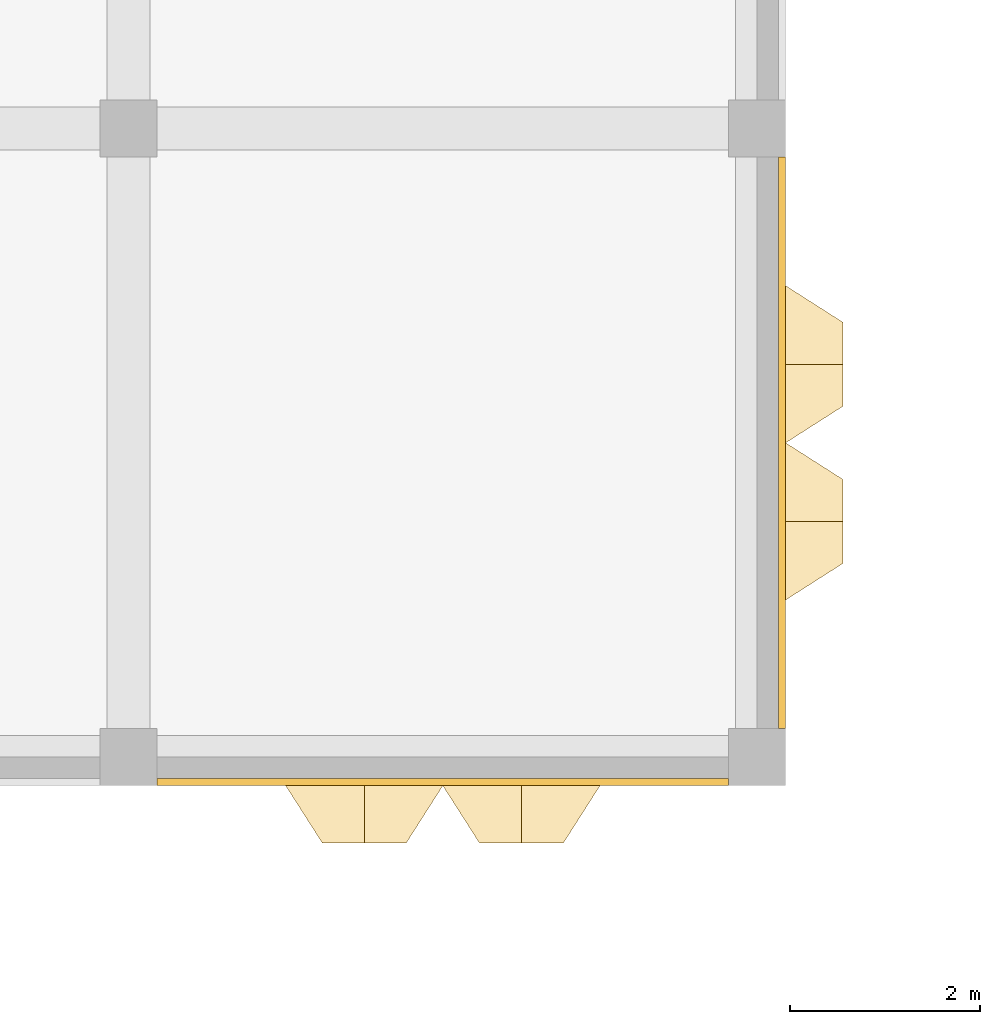
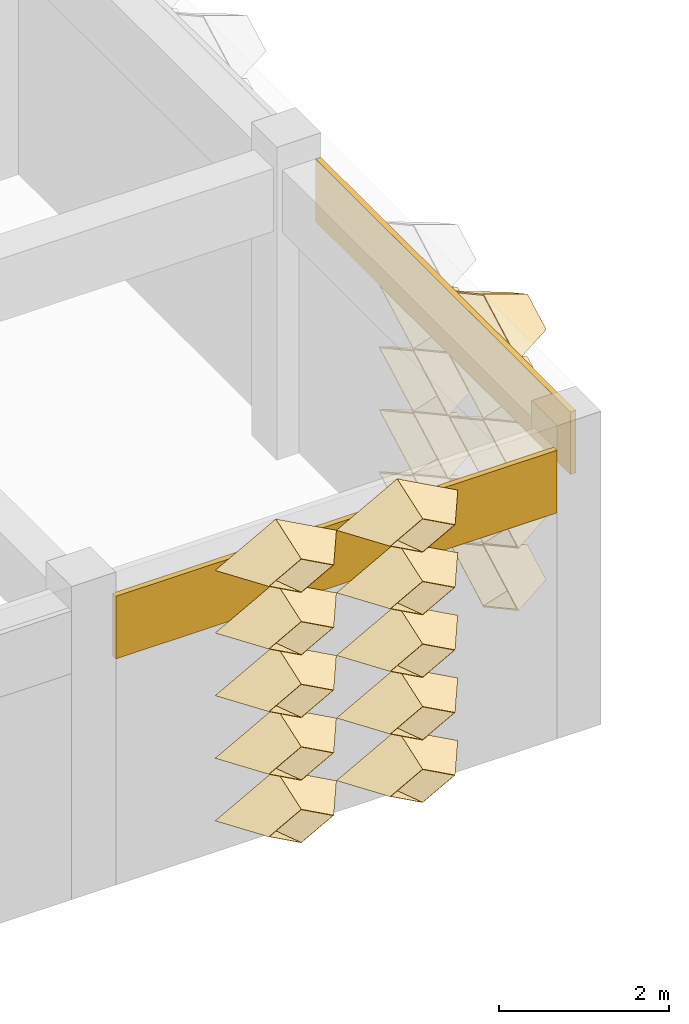
# One storey, part 55 of 87: 21 coverings.
"""IFC4 building model written with IfcOpenShell, lengths in metres."""

from ifc_helpers import new_model, entity, si_unit, direction, frame, frame_2d, origin, place, context, subcontext, project, spatial, rectangle, extrude, material, layer, layer_set, type_object, element, save


model = new_model("IFC4")

# Units and contexts
model_context = context("Model", 3, precision=1e-05, world=origin(), true_north=direction((0.0, 1.0)))
body_context = subcontext(model_context, "Body", "Model", "MODEL_VIEW")
ifc_project = project(units=[si_unit("LENGTHUNIT", "METRE"), si_unit("AREAUNIT", "SQUARE_METRE"), si_unit("VOLUMEUNIT", "CUBIC_METRE"), si_unit("PLANEANGLEUNIT", "RADIAN"), si_unit("MASSUNIT", "GRAM", prefix="KILO")], contexts=[model_context])

# Site, building, storey
site_placement = place(None, origin())
site = spatial("IfcSite", under=ifc_project, at=site_placement, CompositionType="ELEMENT")
building_placement = place(site_placement, origin())
building = spatial("IfcBuilding", under=site, at=building_placement, Name="Lantern Court Research Institute", CompositionType="ELEMENT")
storey_placement = place(building_placement, frame((0.0, 0.0, 5.39990234375)))
storey = spatial("IfcBuildingStorey", under=building, at=storey_placement, Name="L01", CompositionType="ELEMENT", Elevation=5.39990234375)

# Coverings
ifc_material_1 = material(Name="Aluminium composite panel with mineral wool insulation", Category="aluminium")
ifc_layer_1 = layer(ifc_material_1, 0.074951171875)
ifc_layer_set_1 = layer_set([ifc_layer_1], Name="Aluminium composite panel with mineral wool insulation")
covering_type_1 = type_object("IfcCoveringType", Name="Edge fascia panel 75 aluminium faced", PredefinedType="CLADDING", material=ifc_layer_set_1)
for number, where, z_axis, x_axis, name in (
    (1, (26.66259765625, 55.800048828125, 3.25), (0.0, 0.0, 1.0), (0.0, -1.0, 0.0), "Edge fascia V3E L01 01"),
    (2, (26.10009765625, 49.237548828125, 3.25), (0.0, 0.0, 1.0), (-1.0, 0.0, 0.0), "Edge fascia V3S L01 03"),
):
    element("IfcCovering", number, at=place(storey_placement, frame(where, z_axis=z_axis, x_axis=x_axis)), inside=storey, type_object=covering_type_1, Name=name, PredefinedType="CLADDING", context=body_context, shape_type="SweptSolid", body=[
        extrude(rectangle(XDim=6.0, YDim=0.074951171875, at=frame_2d((3.0, 0.0))), origin(), (0.0, 0.0, 1.0), 0.900146484375),
    ])
ifc_material_2 = material(Name="Anodised aluminium", Category="aluminium")
ifc_layer_2 = layer(ifc_material_2, 0.01611328125)
ifc_layer_set_2 = layer_set([ifc_layer_2], Name="Anodised aluminium")
covering_type_2 = type_object("IfcCoveringType", Name="Fin cassette 1650 x 900 x 600 aluminium", PredefinedType="CLADDING", material=ifc_layer_set_2)
covering_1_placement = place(storey_placement, frame((26.699951171875, 51.97509765625, 0.4501953125), z_axis=(1.0, 0.0, 0.0), x_axis=(0.0, 1.0, 0.0)))
cartesian_point_1 = entity("IfcCartesianPoint", [0.824951171875, 0.0])
cartesian_point_2 = entity("IfcCartesianPoint", [0.79150390625, 0.0])
cartesian_point_3 = entity("IfcCartesianPoint", [0.44189453125, 0.0])
cartesian_point_4 = entity("IfcCartesianPoint", [0.43359375, 0.0])
element("IfcCovering", 3, at=covering_1_placement, inside=storey, type_object=covering_type_2, Name="Fin cassette V3E-L01 1.32", PredefinedType="CLADDING", context=body_context, shape_type="SweptSolid", body=[
    entity("IfcExtrudedAreaSolidTapered", entity("IfcArbitraryProfileDefWithVoids", "AREA", None, entity("IfcPolyline", [cartesian_point_1, entity("IfcCartesianPoint", [0.0, 0.449951171875]), entity("IfcCartesianPoint", [-0.824951171875, 0.0]), entity("IfcCartesianPoint", [0.0, -0.449951171875]), cartesian_point_1]), [entity("IfcPolyline", [cartesian_point_2, entity("IfcCartesianPoint", [0.0, 0.431884765625]), entity("IfcCartesianPoint", [-0.79150390625, 0.0]), entity("IfcCartesianPoint", [0.0, -0.431884765625]), cartesian_point_2])]), entity("IfcAxis2Placement3D", entity("IfcCartesianPoint", [0.0, 0.0, 0.0])), entity("IfcDirection", [0.0, 0.0, 1.0]), 0.60009765625, entity("IfcArbitraryProfileDefWithVoids", "AREA", None, entity("IfcPolyline", [cartesian_point_3, entity("IfcCartesianPoint", [0.0, 0.240966796875]), entity("IfcCartesianPoint", [-0.44189453125, 0.0]), entity("IfcCartesianPoint", [0.0, -0.240966796875]), cartesian_point_3]), [entity("IfcPolyline", [cartesian_point_4, entity("IfcCartesianPoint", [0.0, 0.236572265625]), entity("IfcCartesianPoint", [-0.43359375, 0.0]), entity("IfcCartesianPoint", [0.0, -0.236572265625]), cartesian_point_4])])),
])
covering_2_placement = place(storey_placement, frame((26.699951171875, 53.625, 0.4501953125), z_axis=(1.0, 0.0, 0.0), x_axis=(0.0, 1.0, 0.0)))
cartesian_point_5 = entity("IfcCartesianPoint", [0.824951171875, 0.0])
cartesian_point_6 = entity("IfcCartesianPoint", [0.79150390625, 0.0])
cartesian_point_7 = entity("IfcCartesianPoint", [0.44189453125, 0.0])
cartesian_point_8 = entity("IfcCartesianPoint", [0.43359375, 0.0])
element("IfcCovering", 4, at=covering_2_placement, inside=storey, type_object=covering_type_2, Name="Fin cassette V3E-L01 1.33", PredefinedType="CLADDING", context=body_context, shape_type="SweptSolid", body=[
    entity("IfcExtrudedAreaSolidTapered", entity("IfcArbitraryProfileDefWithVoids", "AREA", None, entity("IfcPolyline", [cartesian_point_5, entity("IfcCartesianPoint", [0.0, 0.449951171875]), entity("IfcCartesianPoint", [-0.824951171875, 0.0]), entity("IfcCartesianPoint", [0.0, -0.449951171875]), cartesian_point_5]), [entity("IfcPolyline", [cartesian_point_6, entity("IfcCartesianPoint", [0.0, 0.431884765625]), entity("IfcCartesianPoint", [-0.79150390625, 0.0]), entity("IfcCartesianPoint", [0.0, -0.431884765625]), cartesian_point_6])]), entity("IfcAxis2Placement3D", entity("IfcCartesianPoint", [0.0, 0.0, 0.0])), entity("IfcDirection", [0.0, 0.0, 1.0]), 0.60009765625, entity("IfcArbitraryProfileDefWithVoids", "AREA", None, entity("IfcPolyline", [cartesian_point_7, entity("IfcCartesianPoint", [0.0, 0.240966796875]), entity("IfcCartesianPoint", [-0.44189453125, 0.0]), entity("IfcCartesianPoint", [0.0, -0.240966796875]), cartesian_point_7]), [entity("IfcPolyline", [cartesian_point_8, entity("IfcCartesianPoint", [0.0, 0.236572265625]), entity("IfcCartesianPoint", [-0.43359375, 0.0]), entity("IfcCartesianPoint", [0.0, -0.236572265625]), cartesian_point_8])])),
])
covering_3_placement = place(storey_placement, frame((26.699951171875, 51.97509765625, 1.35009765625), z_axis=(1.0, 0.0, 0.0), x_axis=(0.0, 1.0, 0.0)))
cartesian_point_9 = entity("IfcCartesianPoint", [0.824951171875, 0.0])
cartesian_point_10 = entity("IfcCartesianPoint", [0.79150390625, 0.0])
cartesian_point_11 = entity("IfcCartesianPoint", [0.44189453125, 0.0])
cartesian_point_12 = entity("IfcCartesianPoint", [0.43359375, 0.0])
element("IfcCovering", 5, at=covering_3_placement, inside=storey, type_object=covering_type_2, Name="Fin cassette V3E-L01 2.32", PredefinedType="CLADDING", context=body_context, shape_type="SweptSolid", body=[
    entity("IfcExtrudedAreaSolidTapered", entity("IfcArbitraryProfileDefWithVoids", "AREA", None, entity("IfcPolyline", [cartesian_point_9, entity("IfcCartesianPoint", [0.0, 0.449951171875]), entity("IfcCartesianPoint", [-0.824951171875, 0.0]), entity("IfcCartesianPoint", [0.0, -0.449951171875]), cartesian_point_9]), [entity("IfcPolyline", [cartesian_point_10, entity("IfcCartesianPoint", [0.0, 0.431884765625]), entity("IfcCartesianPoint", [-0.79150390625, 0.0]), entity("IfcCartesianPoint", [0.0, -0.431884765625]), cartesian_point_10])]), entity("IfcAxis2Placement3D", entity("IfcCartesianPoint", [0.0, 0.0, 0.0])), entity("IfcDirection", [0.0, 0.0, 1.0]), 0.60009765625, entity("IfcArbitraryProfileDefWithVoids", "AREA", None, entity("IfcPolyline", [cartesian_point_11, entity("IfcCartesianPoint", [0.0, 0.240966796875]), entity("IfcCartesianPoint", [-0.44189453125, 0.0]), entity("IfcCartesianPoint", [0.0, -0.240966796875]), cartesian_point_11]), [entity("IfcPolyline", [cartesian_point_12, entity("IfcCartesianPoint", [0.0, 0.236572265625]), entity("IfcCartesianPoint", [-0.43359375, 0.0]), entity("IfcCartesianPoint", [0.0, -0.236572265625]), cartesian_point_12])])),
])
covering_4_placement = place(storey_placement, frame((26.699951171875, 53.625, 1.35009765625), z_axis=(1.0, 0.0, 0.0), x_axis=(0.0, 1.0, 0.0)))
cartesian_point_13 = entity("IfcCartesianPoint", [0.824951171875, 0.0])
cartesian_point_14 = entity("IfcCartesianPoint", [0.79150390625, 0.0])
cartesian_point_15 = entity("IfcCartesianPoint", [0.44189453125, 0.0])
cartesian_point_16 = entity("IfcCartesianPoint", [0.43359375, 0.0])
element("IfcCovering", 6, at=covering_4_placement, inside=storey, type_object=covering_type_2, Name="Fin cassette V3E-L01 2.33", PredefinedType="CLADDING", context=body_context, shape_type="SweptSolid", body=[
    entity("IfcExtrudedAreaSolidTapered", entity("IfcArbitraryProfileDefWithVoids", "AREA", None, entity("IfcPolyline", [cartesian_point_13, entity("IfcCartesianPoint", [0.0, 0.449951171875]), entity("IfcCartesianPoint", [-0.824951171875, 0.0]), entity("IfcCartesianPoint", [0.0, -0.449951171875]), cartesian_point_13]), [entity("IfcPolyline", [cartesian_point_14, entity("IfcCartesianPoint", [0.0, 0.431884765625]), entity("IfcCartesianPoint", [-0.79150390625, 0.0]), entity("IfcCartesianPoint", [0.0, -0.431884765625]), cartesian_point_14])]), entity("IfcAxis2Placement3D", entity("IfcCartesianPoint", [0.0, 0.0, 0.0])), entity("IfcDirection", [0.0, 0.0, 1.0]), 0.60009765625, entity("IfcArbitraryProfileDefWithVoids", "AREA", None, entity("IfcPolyline", [cartesian_point_15, entity("IfcCartesianPoint", [0.0, 0.240966796875]), entity("IfcCartesianPoint", [-0.44189453125, 0.0]), entity("IfcCartesianPoint", [0.0, -0.240966796875]), cartesian_point_15]), [entity("IfcPolyline", [cartesian_point_16, entity("IfcCartesianPoint", [0.0, 0.236572265625]), entity("IfcCartesianPoint", [-0.43359375, 0.0]), entity("IfcCartesianPoint", [0.0, -0.236572265625]), cartesian_point_16])])),
])
covering_5_placement = place(storey_placement, frame((26.699951171875, 51.97509765625, 2.25), z_axis=(1.0, 0.0, 0.0), x_axis=(0.0, 1.0, 0.0)))
cartesian_point_17 = entity("IfcCartesianPoint", [0.824951171875, 0.0])
cartesian_point_18 = entity("IfcCartesianPoint", [0.79150390625, 0.0])
cartesian_point_19 = entity("IfcCartesianPoint", [0.44189453125, 0.0])
cartesian_point_20 = entity("IfcCartesianPoint", [0.43359375, 0.0])
element("IfcCovering", 7, at=covering_5_placement, inside=storey, type_object=covering_type_2, Name="Fin cassette V3E-L01 3.32", PredefinedType="CLADDING", context=body_context, shape_type="SweptSolid", body=[
    entity("IfcExtrudedAreaSolidTapered", entity("IfcArbitraryProfileDefWithVoids", "AREA", None, entity("IfcPolyline", [cartesian_point_17, entity("IfcCartesianPoint", [0.0, 0.449951171875]), entity("IfcCartesianPoint", [-0.824951171875, 0.0]), entity("IfcCartesianPoint", [0.0, -0.449951171875]), cartesian_point_17]), [entity("IfcPolyline", [cartesian_point_18, entity("IfcCartesianPoint", [0.0, 0.431884765625]), entity("IfcCartesianPoint", [-0.79150390625, 0.0]), entity("IfcCartesianPoint", [0.0, -0.431884765625]), cartesian_point_18])]), entity("IfcAxis2Placement3D", entity("IfcCartesianPoint", [0.0, 0.0, 0.0])), entity("IfcDirection", [0.0, 0.0, 1.0]), 0.60009765625, entity("IfcArbitraryProfileDefWithVoids", "AREA", None, entity("IfcPolyline", [cartesian_point_19, entity("IfcCartesianPoint", [0.0, 0.240966796875]), entity("IfcCartesianPoint", [-0.44189453125, 0.0]), entity("IfcCartesianPoint", [0.0, -0.240966796875]), cartesian_point_19]), [entity("IfcPolyline", [cartesian_point_20, entity("IfcCartesianPoint", [0.0, 0.236572265625]), entity("IfcCartesianPoint", [-0.43359375, 0.0]), entity("IfcCartesianPoint", [0.0, -0.236572265625]), cartesian_point_20])])),
])
covering_6_placement = place(storey_placement, frame((26.699951171875, 53.625, 2.25), z_axis=(1.0, 0.0, 0.0), x_axis=(0.0, 1.0, 0.0)))
cartesian_point_21 = entity("IfcCartesianPoint", [0.824951171875, 0.0])
cartesian_point_22 = entity("IfcCartesianPoint", [0.79150390625, 0.0])
cartesian_point_23 = entity("IfcCartesianPoint", [0.44189453125, 0.0])
cartesian_point_24 = entity("IfcCartesianPoint", [0.43359375, 0.0])
element("IfcCovering", 8, at=covering_6_placement, inside=storey, type_object=covering_type_2, Name="Fin cassette V3E-L01 3.33", PredefinedType="CLADDING", context=body_context, shape_type="SweptSolid", body=[
    entity("IfcExtrudedAreaSolidTapered", entity("IfcArbitraryProfileDefWithVoids", "AREA", None, entity("IfcPolyline", [cartesian_point_21, entity("IfcCartesianPoint", [0.0, 0.449951171875]), entity("IfcCartesianPoint", [-0.824951171875, 0.0]), entity("IfcCartesianPoint", [0.0, -0.449951171875]), cartesian_point_21]), [entity("IfcPolyline", [cartesian_point_22, entity("IfcCartesianPoint", [0.0, 0.431884765625]), entity("IfcCartesianPoint", [-0.79150390625, 0.0]), entity("IfcCartesianPoint", [0.0, -0.431884765625]), cartesian_point_22])]), entity("IfcAxis2Placement3D", entity("IfcCartesianPoint", [0.0, 0.0, 0.0])), entity("IfcDirection", [0.0, 0.0, 1.0]), 0.60009765625, entity("IfcArbitraryProfileDefWithVoids", "AREA", None, entity("IfcPolyline", [cartesian_point_23, entity("IfcCartesianPoint", [0.0, 0.240966796875]), entity("IfcCartesianPoint", [-0.44189453125, 0.0]), entity("IfcCartesianPoint", [0.0, -0.240966796875]), cartesian_point_23]), [entity("IfcPolyline", [cartesian_point_24, entity("IfcCartesianPoint", [0.0, 0.236572265625]), entity("IfcCartesianPoint", [-0.43359375, 0.0]), entity("IfcCartesianPoint", [0.0, -0.236572265625]), cartesian_point_24])])),
])
covering_7_placement = place(storey_placement, frame((26.699951171875, 51.97509765625, 3.150146484375), z_axis=(1.0, 0.0, 0.0), x_axis=(0.0, 1.0, 0.0)))
cartesian_point_25 = entity("IfcCartesianPoint", [0.824951171875, 0.0])
cartesian_point_26 = entity("IfcCartesianPoint", [0.79150390625, 0.0])
cartesian_point_27 = entity("IfcCartesianPoint", [0.44189453125, 0.0])
cartesian_point_28 = entity("IfcCartesianPoint", [0.43359375, 0.0])
element("IfcCovering", 9, at=covering_7_placement, inside=storey, type_object=covering_type_2, Name="Fin cassette V3E-L01 4.32", PredefinedType="CLADDING", context=body_context, shape_type="SweptSolid", body=[
    entity("IfcExtrudedAreaSolidTapered", entity("IfcArbitraryProfileDefWithVoids", "AREA", None, entity("IfcPolyline", [cartesian_point_25, entity("IfcCartesianPoint", [0.0, 0.449951171875]), entity("IfcCartesianPoint", [-0.824951171875, 0.0]), entity("IfcCartesianPoint", [0.0, -0.449951171875]), cartesian_point_25]), [entity("IfcPolyline", [cartesian_point_26, entity("IfcCartesianPoint", [0.0, 0.431884765625]), entity("IfcCartesianPoint", [-0.79150390625, 0.0]), entity("IfcCartesianPoint", [0.0, -0.431884765625]), cartesian_point_26])]), entity("IfcAxis2Placement3D", entity("IfcCartesianPoint", [0.0, 0.0, 0.0])), entity("IfcDirection", [0.0, 0.0, 1.0]), 0.60009765625, entity("IfcArbitraryProfileDefWithVoids", "AREA", None, entity("IfcPolyline", [cartesian_point_27, entity("IfcCartesianPoint", [0.0, 0.240966796875]), entity("IfcCartesianPoint", [-0.44189453125, 0.0]), entity("IfcCartesianPoint", [0.0, -0.240966796875]), cartesian_point_27]), [entity("IfcPolyline", [cartesian_point_28, entity("IfcCartesianPoint", [0.0, 0.236572265625]), entity("IfcCartesianPoint", [-0.43359375, 0.0]), entity("IfcCartesianPoint", [0.0, -0.236572265625]), cartesian_point_28])])),
])
covering_8_placement = place(storey_placement, frame((26.699951171875, 53.625, 3.150146484375), z_axis=(1.0, 0.0, 0.0), x_axis=(0.0, 1.0, 0.0)))
cartesian_point_29 = entity("IfcCartesianPoint", [0.824951171875, 0.0])
cartesian_point_30 = entity("IfcCartesianPoint", [0.79150390625, 0.0])
cartesian_point_31 = entity("IfcCartesianPoint", [0.44189453125, 0.0])
cartesian_point_32 = entity("IfcCartesianPoint", [0.43359375, 0.0])
element("IfcCovering", 10, at=covering_8_placement, inside=storey, type_object=covering_type_2, Name="Fin cassette V3E-L01 4.33", PredefinedType="CLADDING", context=body_context, shape_type="SweptSolid", body=[
    entity("IfcExtrudedAreaSolidTapered", entity("IfcArbitraryProfileDefWithVoids", "AREA", None, entity("IfcPolyline", [cartesian_point_29, entity("IfcCartesianPoint", [0.0, 0.449951171875]), entity("IfcCartesianPoint", [-0.824951171875, 0.0]), entity("IfcCartesianPoint", [0.0, -0.449951171875]), cartesian_point_29]), [entity("IfcPolyline", [cartesian_point_30, entity("IfcCartesianPoint", [0.0, 0.431884765625]), entity("IfcCartesianPoint", [-0.79150390625, 0.0]), entity("IfcCartesianPoint", [0.0, -0.431884765625]), cartesian_point_30])]), entity("IfcAxis2Placement3D", entity("IfcCartesianPoint", [0.0, 0.0, 0.0])), entity("IfcDirection", [0.0, 0.0, 1.0]), 0.60009765625, entity("IfcArbitraryProfileDefWithVoids", "AREA", None, entity("IfcPolyline", [cartesian_point_31, entity("IfcCartesianPoint", [0.0, 0.240966796875]), entity("IfcCartesianPoint", [-0.44189453125, 0.0]), entity("IfcCartesianPoint", [0.0, -0.240966796875]), cartesian_point_31]), [entity("IfcPolyline", [cartesian_point_32, entity("IfcCartesianPoint", [0.0, 0.236572265625]), entity("IfcCartesianPoint", [-0.43359375, 0.0]), entity("IfcCartesianPoint", [0.0, -0.236572265625]), cartesian_point_32])])),
])
covering_9_placement = place(storey_placement, frame((26.699951171875, 51.97509765625, 4.050048828125), z_axis=(1.0, 0.0, 0.0), x_axis=(0.0, 1.0, 0.0)))
cartesian_point_33 = entity("IfcCartesianPoint", [0.824951171875, 0.0])
cartesian_point_34 = entity("IfcCartesianPoint", [0.79150390625, 0.0])
cartesian_point_35 = entity("IfcCartesianPoint", [0.44189453125, 0.0])
cartesian_point_36 = entity("IfcCartesianPoint", [0.43359375, 0.0])
element("IfcCovering", 11, at=covering_9_placement, inside=storey, type_object=covering_type_2, Name="Fin cassette V3E-L01 5.32", PredefinedType="CLADDING", context=body_context, shape_type="SweptSolid", body=[
    entity("IfcExtrudedAreaSolidTapered", entity("IfcArbitraryProfileDefWithVoids", "AREA", None, entity("IfcPolyline", [cartesian_point_33, entity("IfcCartesianPoint", [0.0, 0.449951171875]), entity("IfcCartesianPoint", [-0.824951171875, 0.0]), entity("IfcCartesianPoint", [0.0, -0.449951171875]), cartesian_point_33]), [entity("IfcPolyline", [cartesian_point_34, entity("IfcCartesianPoint", [0.0, 0.431884765625]), entity("IfcCartesianPoint", [-0.79150390625, 0.0]), entity("IfcCartesianPoint", [0.0, -0.431884765625]), cartesian_point_34])]), entity("IfcAxis2Placement3D", entity("IfcCartesianPoint", [0.0, 0.0, 0.0])), entity("IfcDirection", [0.0, 0.0, 1.0]), 0.60009765625, entity("IfcArbitraryProfileDefWithVoids", "AREA", None, entity("IfcPolyline", [cartesian_point_35, entity("IfcCartesianPoint", [0.0, 0.240966796875]), entity("IfcCartesianPoint", [-0.44189453125, 0.0]), entity("IfcCartesianPoint", [0.0, -0.240966796875]), cartesian_point_35]), [entity("IfcPolyline", [cartesian_point_36, entity("IfcCartesianPoint", [0.0, 0.236572265625]), entity("IfcCartesianPoint", [-0.43359375, 0.0]), entity("IfcCartesianPoint", [0.0, -0.236572265625]), cartesian_point_36])])),
])
covering_10_placement = place(storey_placement, frame((22.27490234375, 49.199951171875, 0.4501953125), z_axis=(0.0, -1.0, 0.0), x_axis=(1.0, 0.0, 0.0)))
cartesian_point_37 = entity("IfcCartesianPoint", [0.824951171875, 0.0])
cartesian_point_38 = entity("IfcCartesianPoint", [0.79150390625, 0.0])
cartesian_point_39 = entity("IfcCartesianPoint", [0.44189453125, 0.0])
cartesian_point_40 = entity("IfcCartesianPoint", [0.43359375, 0.0])
element("IfcCovering", 12, at=covering_10_placement, inside=storey, type_object=covering_type_2, Name="Fin cassette V3S-L01 1.14", PredefinedType="CLADDING", context=body_context, shape_type="SweptSolid", body=[
    entity("IfcExtrudedAreaSolidTapered", entity("IfcArbitraryProfileDefWithVoids", "AREA", None, entity("IfcPolyline", [cartesian_point_37, entity("IfcCartesianPoint", [0.0, 0.449951171875]), entity("IfcCartesianPoint", [-0.824951171875, 0.0]), entity("IfcCartesianPoint", [0.0, -0.449951171875]), cartesian_point_37]), [entity("IfcPolyline", [cartesian_point_38, entity("IfcCartesianPoint", [0.0, 0.431884765625]), entity("IfcCartesianPoint", [-0.79150390625, 0.0]), entity("IfcCartesianPoint", [0.0, -0.431884765625]), cartesian_point_38])]), entity("IfcAxis2Placement3D", entity("IfcCartesianPoint", [0.0, 0.0, 0.0])), entity("IfcDirection", [0.0, 0.0, 1.0]), 0.60009765625, entity("IfcArbitraryProfileDefWithVoids", "AREA", None, entity("IfcPolyline", [cartesian_point_39, entity("IfcCartesianPoint", [0.0, 0.240966796875]), entity("IfcCartesianPoint", [-0.44189453125, 0.0]), entity("IfcCartesianPoint", [0.0, -0.240966796875]), cartesian_point_39]), [entity("IfcPolyline", [cartesian_point_40, entity("IfcCartesianPoint", [0.0, 0.236572265625]), entity("IfcCartesianPoint", [-0.43359375, 0.0]), entity("IfcCartesianPoint", [0.0, -0.236572265625]), cartesian_point_40])])),
])
covering_11_placement = place(storey_placement, frame((23.925048828125, 49.199951171875, 0.4501953125), z_axis=(0.0, -1.0, 0.0), x_axis=(1.0, 0.0, 0.0)))
cartesian_point_41 = entity("IfcCartesianPoint", [0.824951171875, 0.0])
cartesian_point_42 = entity("IfcCartesianPoint", [0.79150390625, 0.0])
cartesian_point_43 = entity("IfcCartesianPoint", [0.44189453125, 0.0])
cartesian_point_44 = entity("IfcCartesianPoint", [0.43359375, 0.0])
element("IfcCovering", 13, at=covering_11_placement, inside=storey, type_object=covering_type_2, Name="Fin cassette V3S-L01 1.15", PredefinedType="CLADDING", context=body_context, shape_type="SweptSolid", body=[
    entity("IfcExtrudedAreaSolidTapered", entity("IfcArbitraryProfileDefWithVoids", "AREA", None, entity("IfcPolyline", [cartesian_point_41, entity("IfcCartesianPoint", [0.0, 0.449951171875]), entity("IfcCartesianPoint", [-0.824951171875, 0.0]), entity("IfcCartesianPoint", [0.0, -0.449951171875]), cartesian_point_41]), [entity("IfcPolyline", [cartesian_point_42, entity("IfcCartesianPoint", [0.0, 0.431884765625]), entity("IfcCartesianPoint", [-0.79150390625, 0.0]), entity("IfcCartesianPoint", [0.0, -0.431884765625]), cartesian_point_42])]), entity("IfcAxis2Placement3D", entity("IfcCartesianPoint", [0.0, 0.0, 0.0])), entity("IfcDirection", [0.0, 0.0, 1.0]), 0.60009765625, entity("IfcArbitraryProfileDefWithVoids", "AREA", None, entity("IfcPolyline", [cartesian_point_43, entity("IfcCartesianPoint", [0.0, 0.240966796875]), entity("IfcCartesianPoint", [-0.44189453125, 0.0]), entity("IfcCartesianPoint", [0.0, -0.240966796875]), cartesian_point_43]), [entity("IfcPolyline", [cartesian_point_44, entity("IfcCartesianPoint", [0.0, 0.236572265625]), entity("IfcCartesianPoint", [-0.43359375, 0.0]), entity("IfcCartesianPoint", [0.0, -0.236572265625]), cartesian_point_44])])),
])
covering_12_placement = place(storey_placement, frame((22.27490234375, 49.199951171875, 1.35009765625), z_axis=(0.0, -1.0, 0.0), x_axis=(1.0, 0.0, 0.0)))
cartesian_point_45 = entity("IfcCartesianPoint", [0.824951171875, 0.0])
cartesian_point_46 = entity("IfcCartesianPoint", [0.79150390625, 0.0])
cartesian_point_47 = entity("IfcCartesianPoint", [0.44189453125, 0.0])
cartesian_point_48 = entity("IfcCartesianPoint", [0.43359375, 0.0])
element("IfcCovering", 14, at=covering_12_placement, inside=storey, type_object=covering_type_2, Name="Fin cassette V3S-L01 2.14", PredefinedType="CLADDING", context=body_context, shape_type="SweptSolid", body=[
    entity("IfcExtrudedAreaSolidTapered", entity("IfcArbitraryProfileDefWithVoids", "AREA", None, entity("IfcPolyline", [cartesian_point_45, entity("IfcCartesianPoint", [0.0, 0.449951171875]), entity("IfcCartesianPoint", [-0.824951171875, 0.0]), entity("IfcCartesianPoint", [0.0, -0.449951171875]), cartesian_point_45]), [entity("IfcPolyline", [cartesian_point_46, entity("IfcCartesianPoint", [0.0, 0.431884765625]), entity("IfcCartesianPoint", [-0.79150390625, 0.0]), entity("IfcCartesianPoint", [0.0, -0.431884765625]), cartesian_point_46])]), entity("IfcAxis2Placement3D", entity("IfcCartesianPoint", [0.0, 0.0, 0.0])), entity("IfcDirection", [0.0, 0.0, 1.0]), 0.60009765625, entity("IfcArbitraryProfileDefWithVoids", "AREA", None, entity("IfcPolyline", [cartesian_point_47, entity("IfcCartesianPoint", [0.0, 0.240966796875]), entity("IfcCartesianPoint", [-0.44189453125, 0.0]), entity("IfcCartesianPoint", [0.0, -0.240966796875]), cartesian_point_47]), [entity("IfcPolyline", [cartesian_point_48, entity("IfcCartesianPoint", [0.0, 0.236572265625]), entity("IfcCartesianPoint", [-0.43359375, 0.0]), entity("IfcCartesianPoint", [0.0, -0.236572265625]), cartesian_point_48])])),
])
covering_13_placement = place(storey_placement, frame((23.925048828125, 49.199951171875, 1.35009765625), z_axis=(0.0, -1.0, 0.0), x_axis=(1.0, 0.0, 0.0)))
cartesian_point_49 = entity("IfcCartesianPoint", [0.824951171875, 0.0])
cartesian_point_50 = entity("IfcCartesianPoint", [0.79150390625, 0.0])
cartesian_point_51 = entity("IfcCartesianPoint", [0.44189453125, 0.0])
cartesian_point_52 = entity("IfcCartesianPoint", [0.43359375, 0.0])
element("IfcCovering", 15, at=covering_13_placement, inside=storey, type_object=covering_type_2, Name="Fin cassette V3S-L01 2.15", PredefinedType="CLADDING", context=body_context, shape_type="SweptSolid", body=[
    entity("IfcExtrudedAreaSolidTapered", entity("IfcArbitraryProfileDefWithVoids", "AREA", None, entity("IfcPolyline", [cartesian_point_49, entity("IfcCartesianPoint", [0.0, 0.449951171875]), entity("IfcCartesianPoint", [-0.824951171875, 0.0]), entity("IfcCartesianPoint", [0.0, -0.449951171875]), cartesian_point_49]), [entity("IfcPolyline", [cartesian_point_50, entity("IfcCartesianPoint", [0.0, 0.431884765625]), entity("IfcCartesianPoint", [-0.79150390625, 0.0]), entity("IfcCartesianPoint", [0.0, -0.431884765625]), cartesian_point_50])]), entity("IfcAxis2Placement3D", entity("IfcCartesianPoint", [0.0, 0.0, 0.0])), entity("IfcDirection", [0.0, 0.0, 1.0]), 0.60009765625, entity("IfcArbitraryProfileDefWithVoids", "AREA", None, entity("IfcPolyline", [cartesian_point_51, entity("IfcCartesianPoint", [0.0, 0.240966796875]), entity("IfcCartesianPoint", [-0.44189453125, 0.0]), entity("IfcCartesianPoint", [0.0, -0.240966796875]), cartesian_point_51]), [entity("IfcPolyline", [cartesian_point_52, entity("IfcCartesianPoint", [0.0, 0.236572265625]), entity("IfcCartesianPoint", [-0.43359375, 0.0]), entity("IfcCartesianPoint", [0.0, -0.236572265625]), cartesian_point_52])])),
])
covering_14_placement = place(storey_placement, frame((22.27490234375, 49.199951171875, 2.25), z_axis=(0.0, -1.0, 0.0), x_axis=(1.0, 0.0, 0.0)))
cartesian_point_53 = entity("IfcCartesianPoint", [0.824951171875, 0.0])
cartesian_point_54 = entity("IfcCartesianPoint", [0.79150390625, 0.0])
cartesian_point_55 = entity("IfcCartesianPoint", [0.44189453125, 0.0])
cartesian_point_56 = entity("IfcCartesianPoint", [0.43359375, 0.0])
element("IfcCovering", 16, at=covering_14_placement, inside=storey, type_object=covering_type_2, Name="Fin cassette V3S-L01 3.14", PredefinedType="CLADDING", context=body_context, shape_type="SweptSolid", body=[
    entity("IfcExtrudedAreaSolidTapered", entity("IfcArbitraryProfileDefWithVoids", "AREA", None, entity("IfcPolyline", [cartesian_point_53, entity("IfcCartesianPoint", [0.0, 0.449951171875]), entity("IfcCartesianPoint", [-0.824951171875, 0.0]), entity("IfcCartesianPoint", [0.0, -0.449951171875]), cartesian_point_53]), [entity("IfcPolyline", [cartesian_point_54, entity("IfcCartesianPoint", [0.0, 0.431884765625]), entity("IfcCartesianPoint", [-0.79150390625, 0.0]), entity("IfcCartesianPoint", [0.0, -0.431884765625]), cartesian_point_54])]), entity("IfcAxis2Placement3D", entity("IfcCartesianPoint", [0.0, 0.0, 0.0])), entity("IfcDirection", [0.0, 0.0, 1.0]), 0.60009765625, entity("IfcArbitraryProfileDefWithVoids", "AREA", None, entity("IfcPolyline", [cartesian_point_55, entity("IfcCartesianPoint", [0.0, 0.240966796875]), entity("IfcCartesianPoint", [-0.44189453125, 0.0]), entity("IfcCartesianPoint", [0.0, -0.240966796875]), cartesian_point_55]), [entity("IfcPolyline", [cartesian_point_56, entity("IfcCartesianPoint", [0.0, 0.236572265625]), entity("IfcCartesianPoint", [-0.43359375, 0.0]), entity("IfcCartesianPoint", [0.0, -0.236572265625]), cartesian_point_56])])),
])
covering_15_placement = place(storey_placement, frame((23.925048828125, 49.199951171875, 2.25), z_axis=(0.0, -1.0, 0.0), x_axis=(1.0, 0.0, 0.0)))
cartesian_point_57 = entity("IfcCartesianPoint", [0.824951171875, 0.0])
cartesian_point_58 = entity("IfcCartesianPoint", [0.79150390625, 0.0])
cartesian_point_59 = entity("IfcCartesianPoint", [0.44189453125, 0.0])
cartesian_point_60 = entity("IfcCartesianPoint", [0.43359375, 0.0])
element("IfcCovering", 17, at=covering_15_placement, inside=storey, type_object=covering_type_2, Name="Fin cassette V3S-L01 3.15", PredefinedType="CLADDING", context=body_context, shape_type="SweptSolid", body=[
    entity("IfcExtrudedAreaSolidTapered", entity("IfcArbitraryProfileDefWithVoids", "AREA", None, entity("IfcPolyline", [cartesian_point_57, entity("IfcCartesianPoint", [0.0, 0.449951171875]), entity("IfcCartesianPoint", [-0.824951171875, 0.0]), entity("IfcCartesianPoint", [0.0, -0.449951171875]), cartesian_point_57]), [entity("IfcPolyline", [cartesian_point_58, entity("IfcCartesianPoint", [0.0, 0.431884765625]), entity("IfcCartesianPoint", [-0.79150390625, 0.0]), entity("IfcCartesianPoint", [0.0, -0.431884765625]), cartesian_point_58])]), entity("IfcAxis2Placement3D", entity("IfcCartesianPoint", [0.0, 0.0, 0.0])), entity("IfcDirection", [0.0, 0.0, 1.0]), 0.60009765625, entity("IfcArbitraryProfileDefWithVoids", "AREA", None, entity("IfcPolyline", [cartesian_point_59, entity("IfcCartesianPoint", [0.0, 0.240966796875]), entity("IfcCartesianPoint", [-0.44189453125, 0.0]), entity("IfcCartesianPoint", [0.0, -0.240966796875]), cartesian_point_59]), [entity("IfcPolyline", [cartesian_point_60, entity("IfcCartesianPoint", [0.0, 0.236572265625]), entity("IfcCartesianPoint", [-0.43359375, 0.0]), entity("IfcCartesianPoint", [0.0, -0.236572265625]), cartesian_point_60])])),
])
covering_16_placement = place(storey_placement, frame((22.27490234375, 49.199951171875, 3.150146484375), z_axis=(0.0, -1.0, 0.0), x_axis=(1.0, 0.0, 0.0)))
cartesian_point_61 = entity("IfcCartesianPoint", [0.824951171875, 0.0])
cartesian_point_62 = entity("IfcCartesianPoint", [0.79150390625, 0.0])
cartesian_point_63 = entity("IfcCartesianPoint", [0.44189453125, 0.0])
cartesian_point_64 = entity("IfcCartesianPoint", [0.43359375, 0.0])
element("IfcCovering", 18, at=covering_16_placement, inside=storey, type_object=covering_type_2, Name="Fin cassette V3S-L01 4.14", PredefinedType="CLADDING", context=body_context, shape_type="SweptSolid", body=[
    entity("IfcExtrudedAreaSolidTapered", entity("IfcArbitraryProfileDefWithVoids", "AREA", None, entity("IfcPolyline", [cartesian_point_61, entity("IfcCartesianPoint", [0.0, 0.449951171875]), entity("IfcCartesianPoint", [-0.824951171875, 0.0]), entity("IfcCartesianPoint", [0.0, -0.449951171875]), cartesian_point_61]), [entity("IfcPolyline", [cartesian_point_62, entity("IfcCartesianPoint", [0.0, 0.431884765625]), entity("IfcCartesianPoint", [-0.79150390625, 0.0]), entity("IfcCartesianPoint", [0.0, -0.431884765625]), cartesian_point_62])]), entity("IfcAxis2Placement3D", entity("IfcCartesianPoint", [0.0, 0.0, 0.0])), entity("IfcDirection", [0.0, 0.0, 1.0]), 0.60009765625, entity("IfcArbitraryProfileDefWithVoids", "AREA", None, entity("IfcPolyline", [cartesian_point_63, entity("IfcCartesianPoint", [0.0, 0.240966796875]), entity("IfcCartesianPoint", [-0.44189453125, 0.0]), entity("IfcCartesianPoint", [0.0, -0.240966796875]), cartesian_point_63]), [entity("IfcPolyline", [cartesian_point_64, entity("IfcCartesianPoint", [0.0, 0.236572265625]), entity("IfcCartesianPoint", [-0.43359375, 0.0]), entity("IfcCartesianPoint", [0.0, -0.236572265625]), cartesian_point_64])])),
])
covering_17_placement = place(storey_placement, frame((23.925048828125, 49.199951171875, 3.150146484375), z_axis=(0.0, -1.0, 0.0), x_axis=(1.0, 0.0, 0.0)))
cartesian_point_65 = entity("IfcCartesianPoint", [0.824951171875, 0.0])
cartesian_point_66 = entity("IfcCartesianPoint", [0.79150390625, 0.0])
cartesian_point_67 = entity("IfcCartesianPoint", [0.44189453125, 0.0])
cartesian_point_68 = entity("IfcCartesianPoint", [0.43359375, 0.0])
element("IfcCovering", 19, at=covering_17_placement, inside=storey, type_object=covering_type_2, Name="Fin cassette V3S-L01 4.15", PredefinedType="CLADDING", context=body_context, shape_type="SweptSolid", body=[
    entity("IfcExtrudedAreaSolidTapered", entity("IfcArbitraryProfileDefWithVoids", "AREA", None, entity("IfcPolyline", [cartesian_point_65, entity("IfcCartesianPoint", [0.0, 0.449951171875]), entity("IfcCartesianPoint", [-0.824951171875, 0.0]), entity("IfcCartesianPoint", [0.0, -0.449951171875]), cartesian_point_65]), [entity("IfcPolyline", [cartesian_point_66, entity("IfcCartesianPoint", [0.0, 0.431884765625]), entity("IfcCartesianPoint", [-0.79150390625, 0.0]), entity("IfcCartesianPoint", [0.0, -0.431884765625]), cartesian_point_66])]), entity("IfcAxis2Placement3D", entity("IfcCartesianPoint", [0.0, 0.0, 0.0])), entity("IfcDirection", [0.0, 0.0, 1.0]), 0.60009765625, entity("IfcArbitraryProfileDefWithVoids", "AREA", None, entity("IfcPolyline", [cartesian_point_67, entity("IfcCartesianPoint", [0.0, 0.240966796875]), entity("IfcCartesianPoint", [-0.44189453125, 0.0]), entity("IfcCartesianPoint", [0.0, -0.240966796875]), cartesian_point_67]), [entity("IfcPolyline", [cartesian_point_68, entity("IfcCartesianPoint", [0.0, 0.236572265625]), entity("IfcCartesianPoint", [-0.43359375, 0.0]), entity("IfcCartesianPoint", [0.0, -0.236572265625]), cartesian_point_68])])),
])
covering_18_placement = place(storey_placement, frame((22.27490234375, 49.199951171875, 4.050048828125), z_axis=(0.0, -1.0, 0.0), x_axis=(1.0, 0.0, 0.0)))
cartesian_point_69 = entity("IfcCartesianPoint", [0.824951171875, 0.0])
cartesian_point_70 = entity("IfcCartesianPoint", [0.79150390625, 0.0])
cartesian_point_71 = entity("IfcCartesianPoint", [0.44189453125, 0.0])
cartesian_point_72 = entity("IfcCartesianPoint", [0.43359375, 0.0])
element("IfcCovering", 20, at=covering_18_placement, inside=storey, type_object=covering_type_2, Name="Fin cassette V3S-L01 5.14", PredefinedType="CLADDING", context=body_context, shape_type="SweptSolid", body=[
    entity("IfcExtrudedAreaSolidTapered", entity("IfcArbitraryProfileDefWithVoids", "AREA", None, entity("IfcPolyline", [cartesian_point_69, entity("IfcCartesianPoint", [0.0, 0.449951171875]), entity("IfcCartesianPoint", [-0.824951171875, 0.0]), entity("IfcCartesianPoint", [0.0, -0.449951171875]), cartesian_point_69]), [entity("IfcPolyline", [cartesian_point_70, entity("IfcCartesianPoint", [0.0, 0.431884765625]), entity("IfcCartesianPoint", [-0.79150390625, 0.0]), entity("IfcCartesianPoint", [0.0, -0.431884765625]), cartesian_point_70])]), entity("IfcAxis2Placement3D", entity("IfcCartesianPoint", [0.0, 0.0, 0.0])), entity("IfcDirection", [0.0, 0.0, 1.0]), 0.60009765625, entity("IfcArbitraryProfileDefWithVoids", "AREA", None, entity("IfcPolyline", [cartesian_point_71, entity("IfcCartesianPoint", [0.0, 0.240966796875]), entity("IfcCartesianPoint", [-0.44189453125, 0.0]), entity("IfcCartesianPoint", [0.0, -0.240966796875]), cartesian_point_71]), [entity("IfcPolyline", [cartesian_point_72, entity("IfcCartesianPoint", [0.0, 0.236572265625]), entity("IfcCartesianPoint", [-0.43359375, 0.0]), entity("IfcCartesianPoint", [0.0, -0.236572265625]), cartesian_point_72])])),
])
covering_19_placement = place(storey_placement, frame((23.925048828125, 49.199951171875, 4.050048828125), z_axis=(0.0, -1.0, 0.0), x_axis=(1.0, 0.0, 0.0)))
cartesian_point_73 = entity("IfcCartesianPoint", [0.824951171875, 0.0])
cartesian_point_74 = entity("IfcCartesianPoint", [0.79150390625, 0.0])
cartesian_point_75 = entity("IfcCartesianPoint", [0.44189453125, 0.0])
cartesian_point_76 = entity("IfcCartesianPoint", [0.43359375, 0.0])
element("IfcCovering", 21, at=covering_19_placement, inside=storey, type_object=covering_type_2, Name="Fin cassette V3S-L01 5.15", PredefinedType="CLADDING", context=body_context, shape_type="SweptSolid", body=[
    entity("IfcExtrudedAreaSolidTapered", entity("IfcArbitraryProfileDefWithVoids", "AREA", None, entity("IfcPolyline", [cartesian_point_73, entity("IfcCartesianPoint", [0.0, 0.449951171875]), entity("IfcCartesianPoint", [-0.824951171875, 0.0]), entity("IfcCartesianPoint", [0.0, -0.449951171875]), cartesian_point_73]), [entity("IfcPolyline", [cartesian_point_74, entity("IfcCartesianPoint", [0.0, 0.431884765625]), entity("IfcCartesianPoint", [-0.79150390625, 0.0]), entity("IfcCartesianPoint", [0.0, -0.431884765625]), cartesian_point_74])]), entity("IfcAxis2Placement3D", entity("IfcCartesianPoint", [0.0, 0.0, 0.0])), entity("IfcDirection", [0.0, 0.0, 1.0]), 0.60009765625, entity("IfcArbitraryProfileDefWithVoids", "AREA", None, entity("IfcPolyline", [cartesian_point_75, entity("IfcCartesianPoint", [0.0, 0.240966796875]), entity("IfcCartesianPoint", [-0.44189453125, 0.0]), entity("IfcCartesianPoint", [0.0, -0.240966796875]), cartesian_point_75]), [entity("IfcPolyline", [cartesian_point_76, entity("IfcCartesianPoint", [0.0, 0.236572265625]), entity("IfcCartesianPoint", [-0.43359375, 0.0]), entity("IfcCartesianPoint", [0.0, -0.236572265625]), cartesian_point_76])])),
])

save(model, "model.ifc")
